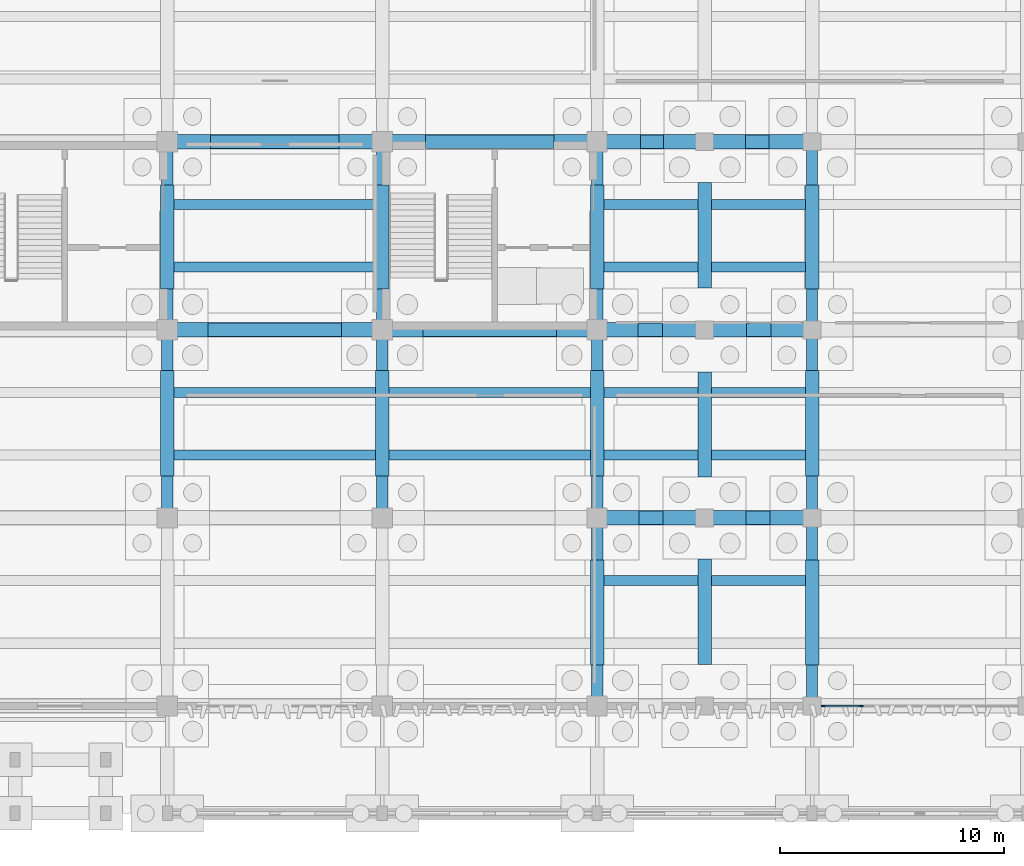
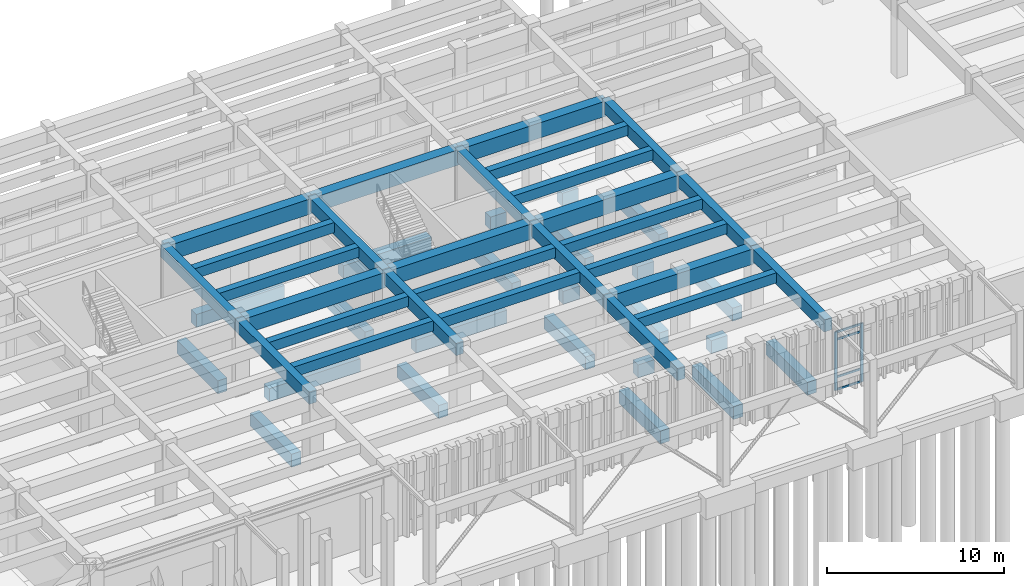
# One storey, part 24 of 102: 51 beams, 6 members, 1 element without a shape of its own.
"""IFC4 building model written with IfcOpenShell, lengths in metres."""

from ifc_helpers import new_model, si_unit, direction, frame, origin, origin_2d, place, context, subcontext, project, spatial, rectangle, extrude, material, layer, layer_set, material_profile, profile_set, type_object, element, aggregate, save


model = new_model("IFC4")

# Units and contexts
model_context = context("Model", 3, precision=1e-05, world=origin(), true_north=direction((0.0, 1.0)))
body_context = subcontext(model_context, "Body", "Model", "MODEL_VIEW")
ifc_project = project(units=[si_unit("LENGTHUNIT", "METRE"), si_unit("AREAUNIT", "SQUARE_METRE"), si_unit("VOLUMEUNIT", "CUBIC_METRE"), si_unit("PLANEANGLEUNIT", "RADIAN"), si_unit("MASSUNIT", "GRAM", prefix="KILO")], contexts=[model_context])

# Site, building, storey
site_placement = place(None, origin())
site = spatial("IfcSite", under=ifc_project, at=site_placement, CompositionType="ELEMENT")
building_placement = place(site_placement, origin())
building = spatial("IfcBuilding", under=site, at=building_placement, Name="Kolvemor Railside Polytechnic", CompositionType="ELEMENT")
storey_placement = place(building_placement, origin())
storey = spatial("IfcBuildingStorey", under=building, at=storey_placement, Name="L00", CompositionType="ELEMENT", Elevation=0.0)

# Beams
ifc_material_1 = material(Name="Concrete C40/50", Category="concrete")
ifc_material_profile_1 = material_profile(ifc_material_1, rectangle(XDim=0.64990234375, YDim=1.050048828125, at=origin_2d()), Name="RC650x1050")
ifc_profile_set_1 = profile_set([ifc_material_profile_1], Name="Concrete C40/50")
beam_type_1 = type_object("IfcBeamType", Name="BM-RC-GIRD2", PredefinedType="BEAM", material=ifc_profile_set_1)
for number, where, z_axis, x_axis, name in (
    (1, (115.199951171875, 13.199951171875, 4.5849609375), (1.0, 0.0, 0.0), (0.0, 1.0, 0.0), "Primary Girder L01-GX 0207"),
    (2, (96.0, 21.60009765625, 4.5849609375), (1.0, 0.0, 0.0), (0.0, 1.0, 0.0), "Primary Girder L01-GX 0214"),
):
    element("IfcBeam", number, at=place(storey_placement, frame(where, z_axis=z_axis, x_axis=x_axis)), inside=storey, type_object=beam_type_1, Name=name, PredefinedType="BEAM", context=body_context, shape_type="SweptSolid", body=[
        extrude(rectangle(XDim=0.64990234375, YDim=1.050048828125, at=origin_2d()), origin(), (0.0, 0.0, 1.0), 9.60009765625),
    ])
beam_1_placement = place(storey_placement, frame((105.60009765625, 21.60009765625, 4.5849609375), z_axis=(1.0, 0.0, 0.0), x_axis=(0.0, 1.0, 0.0)))
element("IfcBeam", 3, at=beam_1_placement, inside=storey, type_object=beam_type_1, Name="Primary Girder L01-GX 0215", PredefinedType="BEAM", context=body_context, shape_type="SweptSolid", body=[
    extrude(rectangle(XDim=0.64990234375, YDim=1.050048828125, at=origin_2d()), origin(), (0.0, 0.0, 1.0), 9.599853515625),
])
for number, where, z_axis, x_axis, name in (
    (4, (115.199951171875, 21.60009765625, 4.5849609375), (1.0, 0.0, 0.0), (0.0, 1.0, 0.0), "Primary Girder L01-GX 0216"),
    (5, (96.0, 30.0, 4.5849609375), (1.0, 0.0, 0.0), (0.0, 1.0, 0.0), "Primary Girder L01-GX 0223"),
):
    element("IfcBeam", number, at=place(storey_placement, frame(where, z_axis=z_axis, x_axis=x_axis)), inside=storey, type_object=beam_type_1, Name=name, PredefinedType="BEAM", context=body_context, shape_type="SweptSolid", body=[
        extrude(rectangle(XDim=0.64990234375, YDim=1.050048828125, at=origin_2d()), origin(), (0.0, 0.0, 1.0), 9.60009765625),
    ])
beam_2_placement = place(storey_placement, frame((105.60009765625, 30.0, 4.5849609375), z_axis=(1.0, 0.0, 0.0), x_axis=(0.0, 1.0, 0.0)))
element("IfcBeam", 6, at=beam_2_placement, inside=storey, type_object=beam_type_1, Name="Primary Girder L01-GX 0224", PredefinedType="BEAM", context=body_context, shape_type="SweptSolid", body=[
    extrude(rectangle(XDim=0.64990234375, YDim=1.050048828125, at=origin_2d()), origin(), (0.0, 0.0, 1.0), 9.599853515625),
])
beam_3_placement = place(storey_placement, frame((115.199951171875, 30.0, 4.5849609375), z_axis=(1.0, 0.0, 0.0), x_axis=(0.0, 1.0, 0.0)))
element("IfcBeam", 7, at=beam_3_placement, inside=storey, type_object=beam_type_1, Name="Primary Girder L01-GX 0225", PredefinedType="BEAM", context=body_context, shape_type="SweptSolid", body=[
    extrude(rectangle(XDim=0.64990234375, YDim=1.050048828125, at=origin_2d()), origin(), (0.0, 0.0, 1.0), 9.60009765625),
])
ifc_material_2 = material(Name="Concrete C40/50", Category="concrete")
ifc_material_profile_2 = material_profile(ifc_material_2, rectangle(XDim=0.5, YDim=0.85009765625, at=origin_2d()), Name="RC500x850")
ifc_profile_set_2 = profile_set([ifc_material_profile_2], Name="Concrete C40/50")
beam_type_2 = type_object("IfcBeamType", Name="BM-RC-GIRD3", PredefinedType="BEAM", material=ifc_profile_set_2)
beam_4_placement = place(storey_placement, frame((96.0, 13.199951171875, 4.68505859375), z_axis=(0.0, 1.0, 0.0), x_axis=(-1.0, 0.0, 0.0)))
element("IfcBeam", 8, at=beam_4_placement, inside=storey, type_object=beam_type_2, Name="Primary Girder L01-GY 0253", PredefinedType="BEAM", context=body_context, shape_type="SweptSolid", body=[
    extrude(rectangle(XDim=0.5, YDim=0.85009765625, at=origin_2d()), origin(), (0.0, 0.0, 1.0), 8.400146484375),
])
beam_5_placement = place(storey_placement, frame((96.0, 21.60009765625, 4.68505859375), z_axis=(0.0, 1.0, 0.0), x_axis=(-1.0, 0.0, 0.0)))
element("IfcBeam", 9, at=beam_5_placement, inside=storey, type_object=beam_type_2, Name="Primary Girder L01-GY 0254", PredefinedType="BEAM", context=body_context, shape_type="SweptSolid", body=[
    extrude(rectangle(XDim=0.5, YDim=0.85009765625, at=origin_2d()), origin(), (0.0, 0.0, 1.0), 8.39990234375),
])
beam_6_placement = place(storey_placement, frame((105.60009765625, 13.199951171875, 4.68505859375), z_axis=(0.0, 1.0, 0.0), x_axis=(-1.0, 0.0, 0.0)))
element("IfcBeam", 10, at=beam_6_placement, inside=storey, type_object=beam_type_2, Name="Primary Girder L01-GY 0257", PredefinedType="BEAM", context=body_context, shape_type="SweptSolid", body=[
    extrude(rectangle(XDim=0.5, YDim=0.85009765625, at=origin_2d()), origin(), (0.0, 0.0, 1.0), 8.400146484375),
])
for number, where, z_axis, x_axis, name in (
    (11, (105.60009765625, 21.60009765625, 4.68505859375), (0.0, 1.0, 0.0), (-1.0, 0.0, 0.0), "Primary Girder L01-GY 0258"),
    (12, (115.199951171875, 4.800048828125, 4.68505859375), (0.0, 1.0, 0.0), (-1.0, 0.0, 0.0), "Primary Girder L01-GY 0260"),
):
    element("IfcBeam", number, at=place(storey_placement, frame(where, z_axis=z_axis, x_axis=x_axis)), inside=storey, type_object=beam_type_2, Name=name, PredefinedType="BEAM", context=body_context, shape_type="SweptSolid", body=[
        extrude(rectangle(XDim=0.5, YDim=0.85009765625, at=origin_2d()), origin(), (0.0, 0.0, 1.0), 8.39990234375),
    ])
beam_7_placement = place(storey_placement, frame((115.199951171875, 13.199951171875, 4.68505859375), z_axis=(0.0, 1.0, 0.0), x_axis=(-1.0, 0.0, 0.0)))
element("IfcBeam", 13, at=beam_7_placement, inside=storey, type_object=beam_type_2, Name="Primary Girder L01-GY 0261", PredefinedType="BEAM", context=body_context, shape_type="SweptSolid", body=[
    extrude(rectangle(XDim=0.5, YDim=0.85009765625, at=origin_2d()), origin(), (0.0, 0.0, 1.0), 8.400146484375),
])
for number, where, z_axis, x_axis, name in (
    (14, (115.199951171875, 21.60009765625, 4.68505859375), (0.0, 1.0, 0.0), (-1.0, 0.0, 0.0), "Primary Girder L01-GY 0262"),
    (15, (124.800048828125, 4.800048828125, 4.68505859375), (0.0, 1.0, 0.0), (-1.0, 0.0, 0.0), "Primary Girder L01-GY 0264"),
):
    element("IfcBeam", number, at=place(storey_placement, frame(where, z_axis=z_axis, x_axis=x_axis)), inside=storey, type_object=beam_type_2, Name=name, PredefinedType="BEAM", context=body_context, shape_type="SweptSolid", body=[
        extrude(rectangle(XDim=0.5, YDim=0.85009765625, at=origin_2d()), origin(), (0.0, 0.0, 1.0), 8.39990234375),
    ])
beam_8_placement = place(storey_placement, frame((124.800048828125, 13.199951171875, 4.68505859375), z_axis=(0.0, 1.0, 0.0), x_axis=(-1.0, 0.0, 0.0)))
element("IfcBeam", 16, at=beam_8_placement, inside=storey, type_object=beam_type_2, Name="Primary Girder L01-GY 0265", PredefinedType="BEAM", context=body_context, shape_type="SweptSolid", body=[
    extrude(rectangle(XDim=0.5, YDim=0.85009765625, at=origin_2d()), origin(), (0.0, 0.0, 1.0), 8.400146484375),
])
beam_9_placement = place(storey_placement, frame((124.800048828125, 21.60009765625, 4.68505859375), z_axis=(0.0, 1.0, 0.0), x_axis=(-1.0, 0.0, 0.0)))
element("IfcBeam", 17, at=beam_9_placement, inside=storey, type_object=beam_type_2, Name="Primary Girder L01-GY 0266", PredefinedType="BEAM", context=body_context, shape_type="SweptSolid", body=[
    extrude(rectangle(XDim=0.5, YDim=0.85009765625, at=origin_2d()), origin(), (0.0, 0.0, 1.0), 8.39990234375),
])
ifc_material_3 = material(Name="Concrete C40/50", Category="concrete")
ifc_material_profile_3 = material_profile(ifc_material_3, rectangle(XDim=0.449951171875, YDim=0.699951171875, at=origin_2d()), Name="RC450x700")
ifc_profile_set_3 = profile_set([ifc_material_profile_3], Name="Concrete C40/50")
beam_type_3 = type_object("IfcBeamType", Name="BM-RC-SEC2", PredefinedType="JOIST", material=ifc_profile_set_3)
for number, where, z_axis, x_axis, name in (
    (18, (96.25, 16.0, 4.760009765625), (1.0, 0.0, 0.0), (0.0, 1.0, 0.0), "Floor Joist L01-J0310"),
    (19, (96.25, 18.800048828125, 4.760009765625), (1.0, 0.0, 0.0), (0.0, 1.0, 0.0), "Floor Joist L01-J0311"),
    (20, (96.25, 24.39990234375, 4.760009765625), (1.0, 0.0, 0.0), (0.0, 1.0, 0.0), "Floor Joist L01-J0312"),
    (21, (96.25, 27.199951171875, 4.760009765625), (1.0, 0.0, 0.0), (0.0, 1.0, 0.0), "Floor Joist L01-J0313"),
):
    element("IfcBeam", number, at=place(storey_placement, frame(where, z_axis=z_axis, x_axis=x_axis)), inside=storey, type_object=beam_type_3, Name=name, PredefinedType="JOIST", context=body_context, shape_type="SweptSolid", body=[
        extrude(rectangle(XDim=0.449951171875, YDim=0.699951171875, at=origin_2d()), origin(), (0.0, 0.0, 1.0), 9.10009765625),
    ])
for number, where, z_axis, x_axis, name in (
    (22, (105.85009765625, 16.0, 4.760009765625), (1.0, 0.0, 0.0), (0.0, 1.0, 0.0), "Floor Joist L01-J0318"),
    (23, (105.85009765625, 18.800048828125, 4.760009765625), (1.0, 0.0, 0.0), (0.0, 1.0, 0.0), "Floor Joist L01-J0319"),
):
    element("IfcBeam", number, at=place(storey_placement, frame(where, z_axis=z_axis, x_axis=x_axis)), inside=storey, type_object=beam_type_3, Name=name, PredefinedType="JOIST", context=body_context, shape_type="SweptSolid", body=[
        extrude(rectangle(XDim=0.449951171875, YDim=0.699951171875, at=origin_2d()), origin(), (0.0, 0.0, 1.0), 9.099853515625),
    ])
for number, where, z_axis, x_axis, name in (
    (24, (115.449951171875, 10.39990234375, 4.760009765625), (1.0, 0.0, 0.0), (0.0, 1.0, 0.0), "Floor Joist L01-J0323"),
    (25, (115.449951171875, 16.0, 4.760009765625), (1.0, 0.0, 0.0), (0.0, 1.0, 0.0), "Floor Joist L01-J0324"),
    (26, (115.449951171875, 18.800048828125, 4.760009765625), (1.0, 0.0, 0.0), (0.0, 1.0, 0.0), "Floor Joist L01-J0325"),
    (27, (115.449951171875, 24.39990234375, 4.760009765625), (1.0, 0.0, 0.0), (0.0, 1.0, 0.0), "Floor Joist L01-J0326"),
    (28, (115.449951171875, 27.199951171875, 4.760009765625), (1.0, 0.0, 0.0), (0.0, 1.0, 0.0), "Floor Joist L01-J0327"),
):
    element("IfcBeam", number, at=place(storey_placement, frame(where, z_axis=z_axis, x_axis=x_axis)), inside=storey, type_object=beam_type_3, Name=name, PredefinedType="JOIST", context=body_context, shape_type="SweptSolid", body=[
        extrude(rectangle(XDim=0.449951171875, YDim=0.699951171875, at=origin_2d()), origin(), (0.0, 0.0, 1.0), 9.10009765625),
    ])
ifc_material_4 = material(Name="Concrete C40/50", Category="concrete")
ifc_material_profile_4 = material_profile(ifc_material_4, rectangle(XDim=0.60009765625, YDim=0.89990234375, at=origin_2d()), Name="RC600x900")
ifc_profile_set_4 = profile_set([ifc_material_profile_4], Name="Concrete C40/50")
beam_type_4 = type_object("IfcBeamType", Name="BM-RC-TIE", PredefinedType="BEAM", material=ifc_profile_set_4)
for number, where, z_axis, x_axis, name in (
    (29, (117.076904296875, 13.199951171875, -0.75), (1.0, 0.0, 0.0), (0.0, 1.0, 0.0), "Ground Tie Beam GTB-X057"),
    (30, (121.85205078125, 13.199951171875, -0.75), (1.0, 0.0, 0.0), (0.0, 1.0, 0.0), "Ground Tie Beam GTB-X058"),
):
    element("IfcBeam", number, at=place(storey_placement, frame(where, z_axis=z_axis, x_axis=x_axis)), inside=storey, type_object=beam_type_4, Name=name, PredefinedType="BEAM", context=body_context, shape_type="SweptSolid", body=[
        extrude(rectangle(XDim=0.60009765625, YDim=0.89990234375, at=origin_2d()), origin(), (0.0, 0.0, 1.0), 1.071044921875),
    ])
for number, where, z_axis, x_axis, name in (
    (31, (97.826904296875, 21.60009765625, -0.75), (1.0, 0.0, 0.0), (0.0, 1.0, 0.0), "Ground Tie Beam GTB-X076"),
    (32, (107.427001953125, 21.60009765625, -0.75), (1.0, 0.0, 0.0), (0.0, 1.0, 0.0), "Ground Tie Beam GTB-X077"),
):
    element("IfcBeam", number, at=place(storey_placement, frame(where, z_axis=z_axis, x_axis=x_axis)), inside=storey, type_object=beam_type_4, Name=name, PredefinedType="BEAM", context=body_context, shape_type="SweptSolid", body=[
        extrude(rectangle(XDim=0.60009765625, YDim=0.89990234375, at=origin_2d()), origin(), (0.0, 0.0, 1.0), 5.946044921875),
    ])
for number, where, z_axis, x_axis, name in (
    (33, (117.027099609375, 21.60009765625, -0.75), (1.0, 0.0, 0.0), (0.0, 1.0, 0.0), "Ground Tie Beam GTB-X078"),
    (34, (121.876953125, 21.60009765625, -0.75), (1.0, 0.0, 0.0), (0.0, 1.0, 0.0), "Ground Tie Beam GTB-X079"),
):
    element("IfcBeam", number, at=place(storey_placement, frame(where, z_axis=z_axis, x_axis=x_axis)), inside=storey, type_object=beam_type_4, Name=name, PredefinedType="BEAM", context=body_context, shape_type="SweptSolid", body=[
        extrude(rectangle(XDim=0.60009765625, YDim=0.89990234375, at=origin_2d()), origin(), (0.0, 0.0, 1.0), 1.095947265625),
    ])
beam_10_placement = place(storey_placement, frame((97.927001953125, 30.0, -0.75), z_axis=(1.0, 0.0, 0.0), x_axis=(0.0, 1.0, 0.0)))
element("IfcBeam", 35, at=beam_10_placement, inside=storey, type_object=beam_type_4, Name="Ground Tie Beam GTB-X097", PredefinedType="BEAM", context=body_context, shape_type="SweptSolid", body=[
    extrude(rectangle(XDim=0.60009765625, YDim=0.89990234375, at=origin_2d()), origin(), (0.0, 0.0, 1.0), 5.74609375),
])
beam_11_placement = place(storey_placement, frame((107.527099609375, 30.0, -0.75), z_axis=(1.0, 0.0, 0.0), x_axis=(0.0, 1.0, 0.0)))
element("IfcBeam", 36, at=beam_11_placement, inside=storey, type_object=beam_type_4, Name="Ground Tie Beam GTB-X098", PredefinedType="BEAM", context=body_context, shape_type="SweptSolid", body=[
    extrude(rectangle(XDim=0.60009765625, YDim=0.89990234375, at=origin_2d()), origin(), (0.0, 0.0, 1.0), 5.745849609375),
])
for number, where, z_axis, x_axis, name in (
    (37, (117.126953125, 30.0, -0.75), (1.0, 0.0, 0.0), (0.0, 1.0, 0.0), "Ground Tie Beam GTB-X099"),
    (38, (121.826904296875, 30.0, -0.75), (1.0, 0.0, 0.0), (0.0, 1.0, 0.0), "Ground Tie Beam GTB-X100"),
):
    element("IfcBeam", number, at=place(storey_placement, frame(where, z_axis=z_axis, x_axis=x_axis)), inside=storey, type_object=beam_type_4, Name=name, PredefinedType="BEAM", context=body_context, shape_type="SweptSolid", body=[
        extrude(rectangle(XDim=0.60009765625, YDim=0.89990234375, at=origin_2d()), origin(), (0.0, 0.0, 1.0), 1.046142578125),
    ])
beam_12_placement = place(storey_placement, frame((96.0, 15.076904296875, -0.75), z_axis=(0.0, 1.0, 0.0), x_axis=(-1.0, 0.0, 0.0)))
element("IfcBeam", 39, at=beam_12_placement, inside=storey, type_object=beam_type_4, Name="Ground Tie Beam GTB-Y344", PredefinedType="BEAM", context=body_context, shape_type="SweptSolid", body=[
    extrude(rectangle(XDim=0.60009765625, YDim=0.89990234375, at=origin_2d()), origin(), (0.0, 0.0, 1.0), 4.696044921875),
])
beam_13_placement = place(storey_placement, frame((96.0, 23.427001953125, -0.75), z_axis=(0.0, 1.0, 0.0), x_axis=(-1.0, 0.0, 0.0)))
element("IfcBeam", 40, at=beam_13_placement, inside=storey, type_object=beam_type_4, Name="Ground Tie Beam GTB-Y345", PredefinedType="BEAM", context=body_context, shape_type="SweptSolid", body=[
    extrude(rectangle(XDim=0.60009765625, YDim=0.89990234375, at=origin_2d()), origin(), (0.0, 0.0, 1.0), 4.64599609375),
])
beam_14_placement = place(storey_placement, frame((105.60009765625, 15.076904296875, -0.75), z_axis=(0.0, 1.0, 0.0), x_axis=(-1.0, 0.0, 0.0)))
element("IfcBeam", 41, at=beam_14_placement, inside=storey, type_object=beam_type_4, Name="Ground Tie Beam GTB-Y352", PredefinedType="BEAM", context=body_context, shape_type="SweptSolid", body=[
    extrude(rectangle(XDim=0.60009765625, YDim=0.89990234375, at=origin_2d()), origin(), (0.0, 0.0, 1.0), 4.696044921875),
])
beam_15_placement = place(storey_placement, frame((105.60009765625, 23.427001953125, -0.75), z_axis=(0.0, 1.0, 0.0), x_axis=(-1.0, 0.0, 0.0)))
element("IfcBeam", 42, at=beam_15_placement, inside=storey, type_object=beam_type_4, Name="Ground Tie Beam GTB-Y353", PredefinedType="BEAM", context=body_context, shape_type="SweptSolid", body=[
    extrude(rectangle(XDim=0.60009765625, YDim=0.89990234375, at=origin_2d()), origin(), (0.0, 0.0, 1.0), 4.64599609375),
])
for number, where, z_axis, x_axis, name in (
    (43, (115.199951171875, 6.626953125, -0.75), (0.0, 1.0, 0.0), (-1.0, 0.0, 0.0), "Ground Tie Beam GTB-Y359"),
    (44, (115.199951171875, 15.076904296875, -0.75), (0.0, 1.0, 0.0), (-1.0, 0.0, 0.0), "Ground Tie Beam GTB-Y360"),
):
    element("IfcBeam", number, at=place(storey_placement, frame(where, z_axis=z_axis, x_axis=x_axis)), inside=storey, type_object=beam_type_4, Name=name, PredefinedType="BEAM", context=body_context, shape_type="SweptSolid", body=[
        extrude(rectangle(XDim=0.60009765625, YDim=0.89990234375, at=origin_2d()), origin(), (0.0, 0.0, 1.0), 4.696044921875),
    ])
beam_16_placement = place(storey_placement, frame((115.199951171875, 23.427001953125, -0.75), z_axis=(0.0, 1.0, 0.0), x_axis=(-1.0, 0.0, 0.0)))
element("IfcBeam", 45, at=beam_16_placement, inside=storey, type_object=beam_type_4, Name="Ground Tie Beam GTB-Y361", PredefinedType="BEAM", context=body_context, shape_type="SweptSolid", body=[
    extrude(rectangle(XDim=0.60009765625, YDim=0.89990234375, at=origin_2d()), origin(), (0.0, 0.0, 1.0), 4.64599609375),
])
beam_17_placement = place(storey_placement, frame((120.0, 6.652099609375, -0.75), z_axis=(0.0, 1.0, 0.0), x_axis=(-1.0, 0.0, 0.0)))
element("IfcBeam", 46, at=beam_17_placement, inside=storey, type_object=beam_type_4, Name="Ground Tie Beam GTB-Y366", PredefinedType="BEAM", context=body_context, shape_type="SweptSolid", body=[
    extrude(rectangle(XDim=0.60009765625, YDim=0.89990234375, at=origin_2d()), origin(), (0.0, 0.0, 1.0), 4.720947265625),
])
beam_18_placement = place(storey_placement, frame((120.0, 15.027099609375, -0.75), z_axis=(0.0, 1.0, 0.0), x_axis=(-1.0, 0.0, 0.0)))
element("IfcBeam", 47, at=beam_18_placement, inside=storey, type_object=beam_type_4, Name="Ground Tie Beam GTB-Y367", PredefinedType="BEAM", context=body_context, shape_type="SweptSolid", body=[
    extrude(rectangle(XDim=0.60009765625, YDim=0.89990234375, at=origin_2d()), origin(), (0.0, 0.0, 1.0), 4.69580078125),
])
for number, where, z_axis, x_axis, name in (
    (48, (120.0, 23.47705078125, -0.75), (0.0, 1.0, 0.0), (-1.0, 0.0, 0.0), "Ground Tie Beam GTB-Y368"),
    (49, (124.800048828125, 6.626953125, -0.75), (0.0, 1.0, 0.0), (-1.0, 0.0, 0.0), "Ground Tie Beam GTB-Y371"),
    (50, (124.800048828125, 15.076904296875, -0.75), (0.0, 1.0, 0.0), (-1.0, 0.0, 0.0), "Ground Tie Beam GTB-Y372"),
):
    element("IfcBeam", number, at=place(storey_placement, frame(where, z_axis=z_axis, x_axis=x_axis)), inside=storey, type_object=beam_type_4, Name=name, PredefinedType="BEAM", context=body_context, shape_type="SweptSolid", body=[
        extrude(rectangle(XDim=0.60009765625, YDim=0.89990234375, at=origin_2d()), origin(), (0.0, 0.0, 1.0), 4.696044921875),
    ])
beam_19_placement = place(storey_placement, frame((124.800048828125, 23.427001953125, -0.75), z_axis=(0.0, 1.0, 0.0), x_axis=(-1.0, 0.0, 0.0)))
element("IfcBeam", 51, at=beam_19_placement, inside=storey, type_object=beam_type_4, Name="Ground Tie Beam GTB-Y373", PredefinedType="BEAM", context=body_context, shape_type="SweptSolid", body=[
    extrude(rectangle(XDim=0.60009765625, YDim=0.89990234375, at=origin_2d()), origin(), (0.0, 0.0, 1.0), 4.64599609375),
])

# Curtain wall, members
ifc_material_5 = material(Name="Anodised marine aluminium and laminated low-E glass", Category="aluminium")
ifc_layer = layer(ifc_material_5, 0.179931640625, Name="CW-UNIT-STD")
ifc_layer_set = layer_set([ifc_layer], Name="Anodised marine aluminium and laminated low-E glass")
curtain_wall_type = type_object("IfcCurtainWallType", Name="CW-UNIT-STD", PredefinedType="USERDEFINED", material=ifc_layer_set)
curtain_wall_placement = place(storey_placement, origin())
curtain_wall = element("IfcCurtainWall", 52, at=curtain_wall_placement, inside=storey, type_object=curtain_wall_type, Name="Curtain Wall L00-095", ObjectType="UNITISED CURTAIN WALL", PredefinedType="USERDEFINED")
ifc_material_6 = material(Name="Anodised marine aluminium 6063-T6", Category="aluminium")
ifc_material_profile_5 = material_profile(ifc_material_6, rectangle(XDim=0.074951171875, YDim=0.179931640625, at=origin_2d()), Name="CW-MUL-75x180")
ifc_profile_set_5 = profile_set([ifc_material_profile_5], Name="Anodised marine aluminium 6063-T6")
member_type_1 = type_object("IfcMemberType", Name="CWM-75x180", PredefinedType="MULLION", material=ifc_profile_set_5)
member_1_placement = place(storey_placement, frame((125.3076171875, 4.800048828125, 0.0), z_axis=(0.0, 0.0, 1.0), x_axis=(0.0, 1.0, 0.0)))
member_1 = element("IfcMember", 53, at=member_1_placement, type_object=member_type_1, Name="CW-STD mullion 1", PredefinedType="MULLION", context=body_context, shape_type="SweptSolid", body=[
    extrude(rectangle(XDim=0.074951171875, YDim=0.179931640625, at=origin_2d()), origin(), (0.0, 0.0, 1.0), 4.0400390625),
])
member_2_placement = place(storey_placement, frame((127.001953125, 4.800048828125, 0.0), z_axis=(0.0, 0.0, 1.0), x_axis=(0.0, 1.0, 0.0)))
member_2 = element("IfcMember", 54, at=member_2_placement, type_object=member_type_1, Name="CW-STD mullion 2", PredefinedType="MULLION", context=body_context, shape_type="SweptSolid", body=[
    extrude(rectangle(XDim=0.074951171875, YDim=0.179931640625, at=origin_2d()), origin(), (0.0, 0.0, 1.0), 4.0400390625),
])
ifc_material_7 = material(Name="Anodised marine aluminium 6063-T6", Category="aluminium")
ifc_material_profile_6 = material_profile(ifc_material_7, rectangle(XDim=0.074951171875, YDim=0.139892578125, at=origin_2d()), Name="CW-TRN-75x140")
ifc_profile_set_6 = profile_set([ifc_material_profile_6], Name="Anodised marine aluminium 6063-T6")
member_type_2 = type_object("IfcMemberType", Name="CWT-75x140", PredefinedType="USERDEFINED", material=ifc_profile_set_6)
member_3_placement = place(storey_placement, frame((125.344970703125, 4.800048828125, 0.03759765625), z_axis=(1.0, 0.0, 0.0), x_axis=(0.0, 1.0, 0.0)))
member_3 = element("IfcMember", 55, at=member_3_placement, type_object=member_type_2, Name="CW-STD transom 1.1", ObjectType="TRANSOM", PredefinedType="USERDEFINED", context=body_context, shape_type="SweptSolid", body=[
    extrude(rectangle(XDim=0.074951171875, YDim=0.139892578125, at=origin_2d()), origin(), (0.0, 0.0, 1.0), 1.61962890625),
])
member_4_placement = place(storey_placement, frame((125.344970703125, 4.800048828125, 0.89990234375), z_axis=(1.0, 0.0, 0.0), x_axis=(0.0, 1.0, 0.0)))
member_4 = element("IfcMember", 56, at=member_4_placement, type_object=member_type_2, Name="CW-STD transom 1.2", ObjectType="TRANSOM", PredefinedType="USERDEFINED", context=body_context, shape_type="SweptSolid", body=[
    extrude(rectangle(XDim=0.074951171875, YDim=0.139892578125, at=origin_2d()), origin(), (0.0, 0.0, 1.0), 1.61962890625),
])
member_5_placement = place(storey_placement, frame((125.344970703125, 4.800048828125, 3.489990234375), z_axis=(1.0, 0.0, 0.0), x_axis=(0.0, 1.0, 0.0)))
member_5 = element("IfcMember", 57, at=member_5_placement, type_object=member_type_2, Name="CW-STD transom 1.3", ObjectType="TRANSOM", PredefinedType="USERDEFINED", context=body_context, shape_type="SweptSolid", body=[
    extrude(rectangle(XDim=0.074951171875, YDim=0.139892578125, at=origin_2d()), origin(), (0.0, 0.0, 1.0), 1.61962890625),
])
member_6_placement = place(storey_placement, frame((125.344970703125, 4.800048828125, 4.00244140625), z_axis=(1.0, 0.0, 0.0), x_axis=(0.0, 1.0, 0.0)))
member_6 = element("IfcMember", 58, at=member_6_placement, type_object=member_type_2, Name="CW-STD transom 1.4", ObjectType="TRANSOM", PredefinedType="USERDEFINED", context=body_context, shape_type="SweptSolid", body=[
    extrude(rectangle(XDim=0.074951171875, YDim=0.139892578125, at=origin_2d()), origin(), (0.0, 0.0, 1.0), 1.61962890625),
])
aggregate(curtain_wall, [member_1, member_2, member_3, member_4, member_5, member_6])

save(model, "model.ifc")
